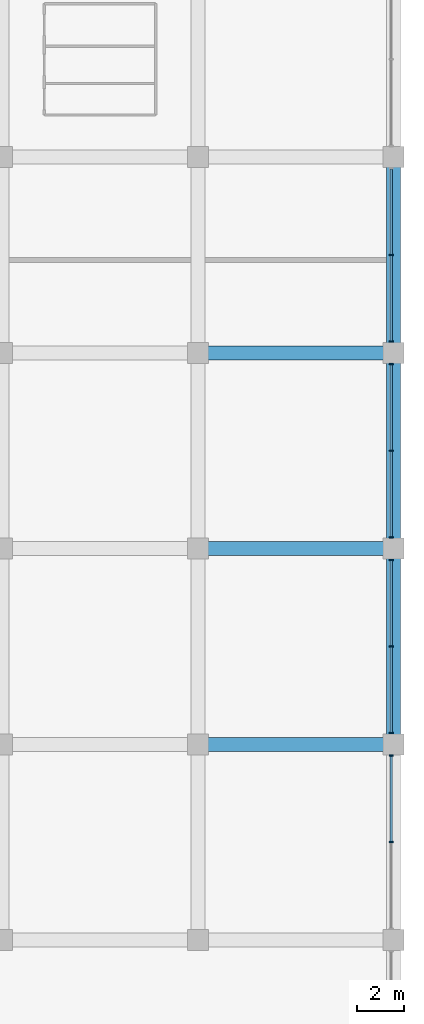
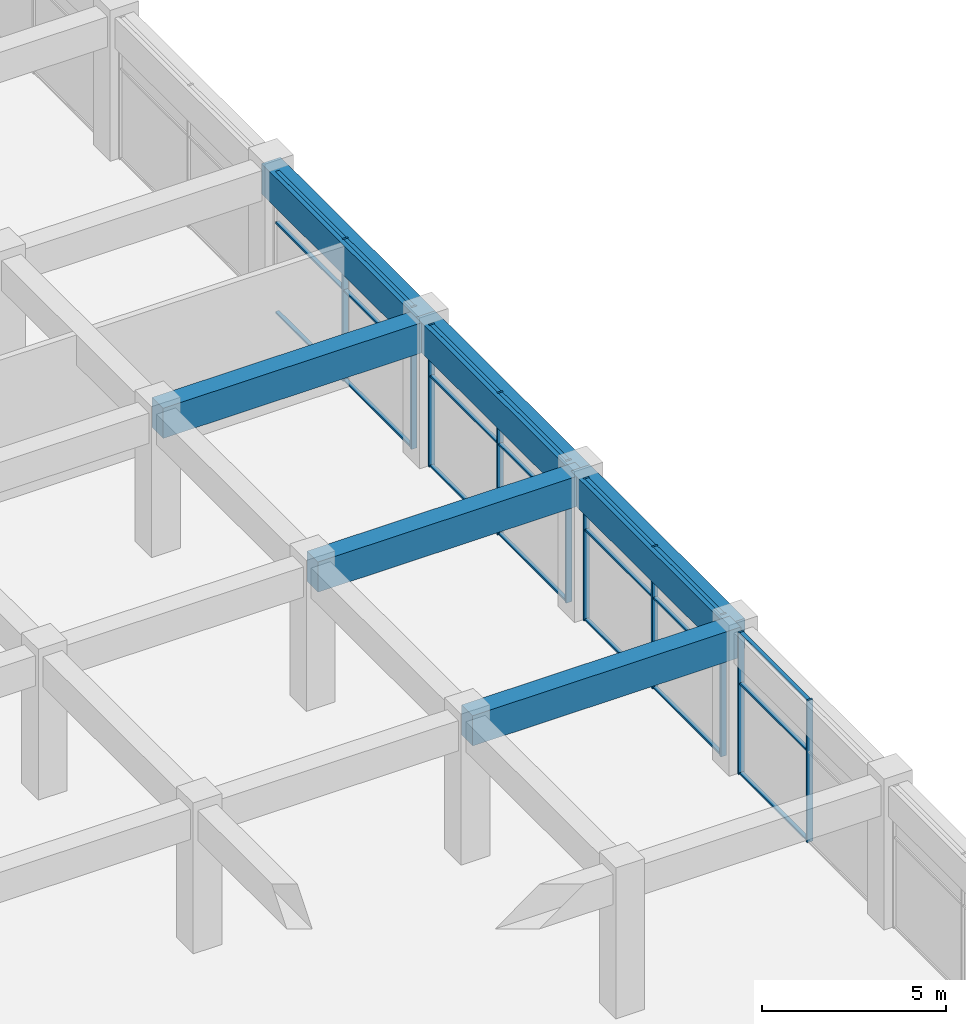
# One storey, part 15 of 34: 31 members, 6 beams, 4 elements without a shape of their own.
"""IFC4 building model written with IfcOpenShell, lengths in metres."""

from ifc_helpers import new_model, si_unit, direction, frame, origin, origin_2d, place, context, subcontext, project, spatial, rectangle, extrude, material, material_profile, profile_set, type_object, element, aggregate, save


model = new_model("IFC4")

# Units and contexts
model_context = context("Model", 3, precision=1e-05, world=origin(), true_north=direction((0.0, 1.0)))
body_context = subcontext(model_context, "Body", "Model", "MODEL_VIEW")
ifc_project = project(units=[si_unit("LENGTHUNIT", "METRE"), si_unit("AREAUNIT", "SQUARE_METRE"), si_unit("VOLUMEUNIT", "CUBIC_METRE"), si_unit("PLANEANGLEUNIT", "RADIAN"), si_unit("MASSUNIT", "GRAM", prefix="KILO")], contexts=[model_context])

# Site, building, storey
site_placement = place(None, origin())
site = spatial("IfcSite", under=ifc_project, at=site_placement, CompositionType="ELEMENT")
building_placement = place(site_placement, origin())
building = spatial("IfcBuilding", under=site, at=building_placement, Name="Impinga Residences", CompositionType="ELEMENT")
storey_placement = place(building_placement, frame((0.0, 0.0, 11.0)))
storey = spatial("IfcBuildingStorey", under=building, at=storey_placement, Name="L02", CompositionType="ELEMENT", Elevation=11.0)

# Curtain wall, members
ifc_material_1 = material(Name="Aluminium stick curtain wall", Category="aluminium")
curtain_wall_type = type_object("IfcCurtainWallType", Name="CW1 podium amenity curtain wall", PredefinedType="USERDEFINED", material=ifc_material_1)
curtain_wall_1_placement = place(storey_placement, origin())
curtain_wall_1 = element("IfcCurtainWall", 1, at=curtain_wall_1_placement, inside=storey, type_object=curtain_wall_type, Name="Curtain wall CW1 L02", ObjectType="STICK CURTAIN WALL", PredefinedType="USERDEFINED")
ifc_material_2 = material(Name="Aluminium mullion", Category="aluminium")
ifc_material_profile_1 = material_profile(ifc_material_2, rectangle(XDim=0.06005859375, YDim=0.179931640625, at=origin_2d()), Name="60x180 mullion")
ifc_profile_set_1 = profile_set([ifc_material_profile_1], Name="Aluminium mullion")
member_type_1 = type_object("IfcMemberType", Name="CW1-M mullion 60x180", PredefinedType="MULLION", material=ifc_profile_set_1)
member_1_placement = place(storey_placement, frame((50.300048828125, 29.39990234375, 0.0), z_axis=(0.0, 0.0, 1.0), x_axis=(0.0, -1.0, 0.0)))
member_1 = element("IfcMember", 2, at=member_1_placement, type_object=member_type_1, Name="CW1 mullion 2", PredefinedType="MULLION", context=body_context, shape_type="SweptSolid", body=[
    extrude(rectangle(XDim=0.06005859375, YDim=0.179931640625, at=origin_2d()), origin(), (0.0, 0.0, 1.0), 4.699951171875),
])
member_2_placement = place(storey_placement, frame((50.300048828125, 25.68310546875, 0.0), z_axis=(0.0, 0.0, 1.0), x_axis=(0.0, -1.0, 0.0)))
member_2 = element("IfcMember", 3, at=member_2_placement, type_object=member_type_1, Name="CW1 mullion 3", PredefinedType="MULLION", context=body_context, shape_type="SweptSolid", body=[
    extrude(rectangle(XDim=0.06005859375, YDim=0.179931640625, at=origin_2d()), origin(), (0.0, 0.0, 1.0), 4.699951171875),
])

curtain_wall_2_placement = place(storey_placement, origin())
curtain_wall_2 = element("IfcCurtainWall", 4, at=curtain_wall_2_placement, inside=storey, type_object=curtain_wall_type, Name="Curtain wall CW1 L02", ObjectType="STICK CURTAIN WALL", PredefinedType="USERDEFINED")
member_3_placement = place(storey_placement, frame((50.300048828125, 24.717041015625, 0.0), z_axis=(0.0, 0.0, 1.0), x_axis=(0.0, -1.0, 0.0)))
member_3 = element("IfcMember", 5, at=member_3_placement, type_object=member_type_1, Name="CW1 mullion 1", PredefinedType="MULLION", context=body_context, shape_type="SweptSolid", body=[
    extrude(rectangle(XDim=0.06005859375, YDim=0.179931640625, at=origin_2d()), origin(), (0.0, 0.0, 1.0), 4.699951171875),
])
member_4_placement = place(storey_placement, frame((50.300048828125, 21.0, 0.0), z_axis=(0.0, 0.0, 1.0), x_axis=(0.0, -1.0, 0.0)))
member_4 = element("IfcMember", 6, at=member_4_placement, type_object=member_type_1, Name="CW1 mullion 2", PredefinedType="MULLION", context=body_context, shape_type="SweptSolid", body=[
    extrude(rectangle(XDim=0.06005859375, YDim=0.179931640625, at=origin_2d()), origin(), (0.0, 0.0, 1.0), 4.699951171875),
])
member_5_placement = place(storey_placement, frame((50.300048828125, 17.282958984375, 0.0), z_axis=(0.0, 0.0, 1.0), x_axis=(0.0, -1.0, 0.0)))
member_5 = element("IfcMember", 7, at=member_5_placement, type_object=member_type_1, Name="CW1 mullion 3", PredefinedType="MULLION", context=body_context, shape_type="SweptSolid", body=[
    extrude(rectangle(XDim=0.06005859375, YDim=0.179931640625, at=origin_2d()), origin(), (0.0, 0.0, 1.0), 4.699951171875),
])

curtain_wall_3_placement = place(storey_placement, origin())
curtain_wall_3 = element("IfcCurtainWall", 8, at=curtain_wall_3_placement, inside=storey, type_object=curtain_wall_type, Name="Curtain wall CW1 L02", ObjectType="STICK CURTAIN WALL", PredefinedType="USERDEFINED")
member_6_placement = place(storey_placement, frame((50.300048828125, 16.31689453125, 0.0), z_axis=(0.0, 0.0, 1.0), x_axis=(0.0, -1.0, 0.0)))
member_6 = element("IfcMember", 9, at=member_6_placement, type_object=member_type_1, Name="CW1 mullion 1", PredefinedType="MULLION", context=body_context, shape_type="SweptSolid", body=[
    extrude(rectangle(XDim=0.06005859375, YDim=0.179931640625, at=origin_2d()), origin(), (0.0, 0.0, 1.0), 4.699951171875),
])
member_7_placement = place(storey_placement, frame((50.300048828125, 12.60009765625, 0.0), z_axis=(0.0, 0.0, 1.0), x_axis=(0.0, -1.0, 0.0)))
member_7 = element("IfcMember", 10, at=member_7_placement, type_object=member_type_1, Name="CW1 mullion 2", PredefinedType="MULLION", context=body_context, shape_type="SweptSolid", body=[
    extrude(rectangle(XDim=0.06005859375, YDim=0.179931640625, at=origin_2d()), origin(), (0.0, 0.0, 1.0), 4.699951171875),
])
member_8_placement = place(storey_placement, frame((50.300048828125, 8.883056640625, 0.0), z_axis=(0.0, 0.0, 1.0), x_axis=(0.0, -1.0, 0.0)))
member_8 = element("IfcMember", 11, at=member_8_placement, type_object=member_type_1, Name="CW1 mullion 3", PredefinedType="MULLION", context=body_context, shape_type="SweptSolid", body=[
    extrude(rectangle(XDim=0.06005859375, YDim=0.179931640625, at=origin_2d()), origin(), (0.0, 0.0, 1.0), 4.699951171875),
])

curtain_wall_4_placement = place(storey_placement, origin())
curtain_wall_4 = element("IfcCurtainWall", 12, at=curtain_wall_4_placement, inside=storey, type_object=curtain_wall_type, Name="Curtain wall CW1 L02", ObjectType="STICK CURTAIN WALL", PredefinedType="USERDEFINED")
member_9_placement = place(storey_placement, frame((50.300048828125, 7.9169921875, 0.0), z_axis=(0.0, 0.0, 1.0), x_axis=(0.0, -1.0, 0.0)))
member_9 = element("IfcMember", 13, at=member_9_placement, type_object=member_type_1, Name="CW1 mullion 1", PredefinedType="MULLION", context=body_context, shape_type="SweptSolid", body=[
    extrude(rectangle(XDim=0.06005859375, YDim=0.179931640625, at=origin_2d()), origin(), (0.0, 0.0, 1.0), 4.699951171875),
])
member_10_placement = place(storey_placement, frame((50.300048828125, 4.199951171875, 0.0), z_axis=(0.0, 0.0, 1.0), x_axis=(0.0, -1.0, 0.0)))
member_10 = element("IfcMember", 14, at=member_10_placement, type_object=member_type_1, Name="CW1 mullion 2", PredefinedType="MULLION", context=body_context, shape_type="SweptSolid", body=[
    extrude(rectangle(XDim=0.06005859375, YDim=0.179931640625, at=origin_2d()), origin(), (0.0, 0.0, 1.0), 4.699951171875),
])

# Member
ifc_material_3 = material(Name="Aluminium transom", Category="aluminium")
ifc_material_profile_2 = material_profile(ifc_material_3, rectangle(XDim=0.06005859375, YDim=0.1201171875, at=origin_2d()), Name="60x120 transom")
ifc_profile_set_2 = profile_set([ifc_material_profile_2], Name="Aluminium transom")
member_type_2 = type_object("IfcMemberType", Name="CW1-T transom 60x120", PredefinedType="USERDEFINED", material=ifc_profile_set_2)
member_11_placement = place(storey_placement, frame((50.300048828125, 33.0869140625, 0.030029296875), z_axis=(0.0, -1.0, 0.0), x_axis=(0.0, 0.0, 1.0)))
member_11 = element("IfcMember", 15, at=member_11_placement, type_object=member_type_2, Name="CW1 transom 1.1", ObjectType="TRANSOM", PredefinedType="USERDEFINED", context=body_context, shape_type="SweptSolid", body=[
    extrude(rectangle(XDim=0.06005859375, YDim=0.1201171875, at=origin_2d()), origin(), (0.0, 0.0, 1.0), 3.656982421875),
])

member_12_placement = place(storey_placement, frame((50.300048828125, 33.0869140625, 3.0), z_axis=(0.0, -1.0, 0.0), x_axis=(0.0, 0.0, 1.0)))
member_12 = element("IfcMember", 16, at=member_12_placement, type_object=member_type_2, Name="CW1 transom 1.2", ObjectType="TRANSOM", PredefinedType="USERDEFINED", context=body_context, shape_type="SweptSolid", body=[
    extrude(rectangle(XDim=0.06005859375, YDim=0.1201171875, at=origin_2d()), origin(), (0.0, 0.0, 1.0), 3.656982421875),
])

member_13_placement = place(storey_placement, frame((50.300048828125, 33.0869140625, 4.669921875), z_axis=(0.0, -1.0, 0.0), x_axis=(0.0, 0.0, 1.0)))
member_13 = element("IfcMember", 17, at=member_13_placement, type_object=member_type_2, Name="CW1 transom 1.3", ObjectType="TRANSOM", PredefinedType="USERDEFINED", context=body_context, shape_type="SweptSolid", body=[
    extrude(rectangle(XDim=0.06005859375, YDim=0.1201171875, at=origin_2d()), origin(), (0.0, 0.0, 1.0), 3.656982421875),
])

member_14_placement = place(storey_placement, frame((50.300048828125, 29.3701171875, 0.030029296875), z_axis=(0.0, -1.0, 0.0), x_axis=(0.0, 0.0, 1.0)))
member_14 = element("IfcMember", 18, at=member_14_placement, type_object=member_type_2, Name="CW1 transom 2.1", ObjectType="TRANSOM", PredefinedType="USERDEFINED", context=body_context, shape_type="SweptSolid", body=[
    extrude(rectangle(XDim=0.06005859375, YDim=0.1201171875, at=origin_2d()), origin(), (0.0, 0.0, 1.0), 3.6572265625),
])

member_15_placement = place(storey_placement, frame((50.300048828125, 29.3701171875, 3.0), z_axis=(0.0, -1.0, 0.0), x_axis=(0.0, 0.0, 1.0)))
member_15 = element("IfcMember", 19, at=member_15_placement, type_object=member_type_2, Name="CW1 transom 2.2", ObjectType="TRANSOM", PredefinedType="USERDEFINED", context=body_context, shape_type="SweptSolid", body=[
    extrude(rectangle(XDim=0.06005859375, YDim=0.1201171875, at=origin_2d()), origin(), (0.0, 0.0, 1.0), 3.6572265625),
])

member_16_placement = place(storey_placement, frame((50.300048828125, 29.3701171875, 4.669921875), z_axis=(0.0, -1.0, 0.0), x_axis=(0.0, 0.0, 1.0)))
member_16 = element("IfcMember", 20, at=member_16_placement, type_object=member_type_2, Name="CW1 transom 2.3", ObjectType="TRANSOM", PredefinedType="USERDEFINED", context=body_context, shape_type="SweptSolid", body=[
    extrude(rectangle(XDim=0.06005859375, YDim=0.1201171875, at=origin_2d()), origin(), (0.0, 0.0, 1.0), 3.6572265625),
])

aggregate(curtain_wall_1, [member_1, member_2, member_11, member_12, member_13, member_14, member_15, member_16])

member_17_placement = place(storey_placement, frame((50.300048828125, 24.68701171875, 0.030029296875), z_axis=(0.0, -1.0, 0.0), x_axis=(0.0, 0.0, 1.0)))
member_17 = element("IfcMember", 21, at=member_17_placement, type_object=member_type_2, Name="CW1 transom 1.1", ObjectType="TRANSOM", PredefinedType="USERDEFINED", context=body_context, shape_type="SweptSolid", body=[
    extrude(rectangle(XDim=0.06005859375, YDim=0.1201171875, at=origin_2d()), origin(), (0.0, 0.0, 1.0), 3.656982421875),
])

member_18_placement = place(storey_placement, frame((50.300048828125, 24.68701171875, 3.0), z_axis=(0.0, -1.0, 0.0), x_axis=(0.0, 0.0, 1.0)))
member_18 = element("IfcMember", 22, at=member_18_placement, type_object=member_type_2, Name="CW1 transom 1.2", ObjectType="TRANSOM", PredefinedType="USERDEFINED", context=body_context, shape_type="SweptSolid", body=[
    extrude(rectangle(XDim=0.06005859375, YDim=0.1201171875, at=origin_2d()), origin(), (0.0, 0.0, 1.0), 3.656982421875),
])

member_19_placement = place(storey_placement, frame((50.300048828125, 24.68701171875, 4.669921875), z_axis=(0.0, -1.0, 0.0), x_axis=(0.0, 0.0, 1.0)))
member_19 = element("IfcMember", 23, at=member_19_placement, type_object=member_type_2, Name="CW1 transom 1.3", ObjectType="TRANSOM", PredefinedType="USERDEFINED", context=body_context, shape_type="SweptSolid", body=[
    extrude(rectangle(XDim=0.06005859375, YDim=0.1201171875, at=origin_2d()), origin(), (0.0, 0.0, 1.0), 3.656982421875),
])

member_20_placement = place(storey_placement, frame((50.300048828125, 20.969970703125, 0.030029296875), z_axis=(0.0, -1.0, 0.0), x_axis=(0.0, 0.0, 1.0)))
member_20 = element("IfcMember", 24, at=member_20_placement, type_object=member_type_2, Name="CW1 transom 2.1", ObjectType="TRANSOM", PredefinedType="USERDEFINED", context=body_context, shape_type="SweptSolid", body=[
    extrude(rectangle(XDim=0.06005859375, YDim=0.1201171875, at=origin_2d()), origin(), (0.0, 0.0, 1.0), 3.656982421875),
])

member_21_placement = place(storey_placement, frame((50.300048828125, 20.969970703125, 3.0), z_axis=(0.0, -1.0, 0.0), x_axis=(0.0, 0.0, 1.0)))
member_21 = element("IfcMember", 25, at=member_21_placement, type_object=member_type_2, Name="CW1 transom 2.2", ObjectType="TRANSOM", PredefinedType="USERDEFINED", context=body_context, shape_type="SweptSolid", body=[
    extrude(rectangle(XDim=0.06005859375, YDim=0.1201171875, at=origin_2d()), origin(), (0.0, 0.0, 1.0), 3.656982421875),
])

member_22_placement = place(storey_placement, frame((50.300048828125, 20.969970703125, 4.669921875), z_axis=(0.0, -1.0, 0.0), x_axis=(0.0, 0.0, 1.0)))
member_22 = element("IfcMember", 26, at=member_22_placement, type_object=member_type_2, Name="CW1 transom 2.3", ObjectType="TRANSOM", PredefinedType="USERDEFINED", context=body_context, shape_type="SweptSolid", body=[
    extrude(rectangle(XDim=0.06005859375, YDim=0.1201171875, at=origin_2d()), origin(), (0.0, 0.0, 1.0), 3.656982421875),
])

aggregate(curtain_wall_2, [member_3, member_4, member_5, member_17, member_18, member_19, member_20, member_21, member_22])

member_23_placement = place(storey_placement, frame((50.300048828125, 16.287109375, 0.030029296875), z_axis=(0.0, -1.0, 0.0), x_axis=(0.0, 0.0, 1.0)))
member_23 = element("IfcMember", 27, at=member_23_placement, type_object=member_type_2, Name="CW1 transom 1.1", ObjectType="TRANSOM", PredefinedType="USERDEFINED", context=body_context, shape_type="SweptSolid", body=[
    extrude(rectangle(XDim=0.06005859375, YDim=0.1201171875, at=origin_2d()), origin(), (0.0, 0.0, 1.0), 3.6572265625),
])

member_24_placement = place(storey_placement, frame((50.300048828125, 16.287109375, 3.0), z_axis=(0.0, -1.0, 0.0), x_axis=(0.0, 0.0, 1.0)))
member_24 = element("IfcMember", 28, at=member_24_placement, type_object=member_type_2, Name="CW1 transom 1.2", ObjectType="TRANSOM", PredefinedType="USERDEFINED", context=body_context, shape_type="SweptSolid", body=[
    extrude(rectangle(XDim=0.06005859375, YDim=0.1201171875, at=origin_2d()), origin(), (0.0, 0.0, 1.0), 3.6572265625),
])

member_25_placement = place(storey_placement, frame((50.300048828125, 16.287109375, 4.669921875), z_axis=(0.0, -1.0, 0.0), x_axis=(0.0, 0.0, 1.0)))
member_25 = element("IfcMember", 29, at=member_25_placement, type_object=member_type_2, Name="CW1 transom 1.3", ObjectType="TRANSOM", PredefinedType="USERDEFINED", context=body_context, shape_type="SweptSolid", body=[
    extrude(rectangle(XDim=0.06005859375, YDim=0.1201171875, at=origin_2d()), origin(), (0.0, 0.0, 1.0), 3.6572265625),
])

member_26_placement = place(storey_placement, frame((50.300048828125, 12.570068359375, 0.030029296875), z_axis=(0.0, -1.0, 0.0), x_axis=(0.0, 0.0, 1.0)))
member_26 = element("IfcMember", 30, at=member_26_placement, type_object=member_type_2, Name="CW1 transom 2.1", ObjectType="TRANSOM", PredefinedType="USERDEFINED", context=body_context, shape_type="SweptSolid", body=[
    extrude(rectangle(XDim=0.06005859375, YDim=0.1201171875, at=origin_2d()), origin(), (0.0, 0.0, 1.0), 3.656982421875),
])

member_27_placement = place(storey_placement, frame((50.300048828125, 12.570068359375, 3.0), z_axis=(0.0, -1.0, 0.0), x_axis=(0.0, 0.0, 1.0)))
member_27 = element("IfcMember", 31, at=member_27_placement, type_object=member_type_2, Name="CW1 transom 2.2", ObjectType="TRANSOM", PredefinedType="USERDEFINED", context=body_context, shape_type="SweptSolid", body=[
    extrude(rectangle(XDim=0.06005859375, YDim=0.1201171875, at=origin_2d()), origin(), (0.0, 0.0, 1.0), 3.656982421875),
])

member_28_placement = place(storey_placement, frame((50.300048828125, 12.570068359375, 4.669921875), z_axis=(0.0, -1.0, 0.0), x_axis=(0.0, 0.0, 1.0)))
member_28 = element("IfcMember", 32, at=member_28_placement, type_object=member_type_2, Name="CW1 transom 2.3", ObjectType="TRANSOM", PredefinedType="USERDEFINED", context=body_context, shape_type="SweptSolid", body=[
    extrude(rectangle(XDim=0.06005859375, YDim=0.1201171875, at=origin_2d()), origin(), (0.0, 0.0, 1.0), 3.656982421875),
])

aggregate(curtain_wall_3, [member_6, member_7, member_8, member_23, member_24, member_25, member_26, member_27, member_28])

member_29_placement = place(storey_placement, frame((50.300048828125, 7.886962890625, 0.030029296875), z_axis=(0.0, -1.0, 0.0), x_axis=(0.0, 0.0, 1.0)))
member_29 = element("IfcMember", 33, at=member_29_placement, type_object=member_type_2, Name="CW1 transom 1.1", ObjectType="TRANSOM", PredefinedType="USERDEFINED", context=body_context, shape_type="SweptSolid", body=[
    extrude(rectangle(XDim=0.06005859375, YDim=0.1201171875, at=origin_2d()), origin(), (0.0, 0.0, 1.0), 3.656982421875),
])

member_30_placement = place(storey_placement, frame((50.300048828125, 7.886962890625, 3.0), z_axis=(0.0, -1.0, 0.0), x_axis=(0.0, 0.0, 1.0)))
member_30 = element("IfcMember", 34, at=member_30_placement, type_object=member_type_2, Name="CW1 transom 1.2", ObjectType="TRANSOM", PredefinedType="USERDEFINED", context=body_context, shape_type="SweptSolid", body=[
    extrude(rectangle(XDim=0.06005859375, YDim=0.1201171875, at=origin_2d()), origin(), (0.0, 0.0, 1.0), 3.656982421875),
])

member_31_placement = place(storey_placement, frame((50.300048828125, 7.886962890625, 4.669921875), z_axis=(0.0, -1.0, 0.0), x_axis=(0.0, 0.0, 1.0)))
member_31 = element("IfcMember", 35, at=member_31_placement, type_object=member_type_2, Name="CW1 transom 1.3", ObjectType="TRANSOM", PredefinedType="USERDEFINED", context=body_context, shape_type="SweptSolid", body=[
    extrude(rectangle(XDim=0.06005859375, YDim=0.1201171875, at=origin_2d()), origin(), (0.0, 0.0, 1.0), 3.656982421875),
])

aggregate(curtain_wall_4, [member_9, member_10, member_29, member_30, member_31])

# Beams
ifc_material_4 = material(Name="Concrete C60/75", Category="concrete")
ifc_material_profile_3 = material_profile(ifc_material_4, rectangle(XDim=0.60009765625, YDim=1.0, at=origin_2d()), Name="RC 600x1000")
ifc_profile_set_3 = profile_set([ifc_material_profile_3], Name="Concrete C60/75")
beam_type = type_object("IfcBeamType", Name="PB2 600x1000 podium beam", PredefinedType="BEAM", material=ifc_profile_set_3)
for number, where, z_axis, x_axis, name in (
    (36, (42.0, 8.39990234375, 4.199951171875), (1.0, 0.0, 0.0), (0.0, 1.0, 0.0), "Beam PB2 G/12-13 level L03"),
    (37, (42.0, 16.800048828125, 4.199951171875), (1.0, 0.0, 0.0), (0.0, 1.0, 0.0), "Beam PB2 H/12-13 level L03"),
    (38, (42.0, 25.199951171875, 4.199951171875), (1.0, 0.0, 0.0), (0.0, 1.0, 0.0), "Beam PB2 J/12-13 level L03"),
):
    element("IfcBeam", number, at=place(storey_placement, frame(where, z_axis=z_axis, x_axis=x_axis)), inside=storey, type_object=beam_type, Name=name, PredefinedType="BEAM", context=body_context, shape_type="SweptSolid", body=[
        extrude(rectangle(XDim=0.60009765625, YDim=1.0, at=origin_2d()), origin(), (0.0, 0.0, 1.0), 8.39990234375),
    ])
beam_1_placement = place(storey_placement, frame((50.39990234375, 8.39990234375, 4.199951171875), z_axis=(0.0, 1.0, 0.0), x_axis=(-1.0, 0.0, 0.0)))
element("IfcBeam", 39, at=beam_1_placement, inside=storey, type_object=beam_type, Name="Beam PB2 13/G-H level L03", PredefinedType="BEAM", context=body_context, shape_type="SweptSolid", body=[
    extrude(rectangle(XDim=0.60009765625, YDim=1.0, at=origin_2d()), origin(), (0.0, 0.0, 1.0), 8.400146484375),
])
beam_2_placement = place(storey_placement, frame((50.39990234375, 16.800048828125, 4.199951171875), z_axis=(0.0, 1.0, 0.0), x_axis=(-1.0, 0.0, 0.0)))
element("IfcBeam", 40, at=beam_2_placement, inside=storey, type_object=beam_type, Name="Beam PB2 13/H-J level L03", PredefinedType="BEAM", context=body_context, shape_type="SweptSolid", body=[
    extrude(rectangle(XDim=0.60009765625, YDim=1.0, at=origin_2d()), origin(), (0.0, 0.0, 1.0), 8.39990234375),
])
beam_3_placement = place(storey_placement, frame((50.39990234375, 25.199951171875, 4.199951171875), z_axis=(0.0, 1.0, 0.0), x_axis=(-1.0, 0.0, 0.0)))
element("IfcBeam", 41, at=beam_3_placement, inside=storey, type_object=beam_type, Name="Beam PB2 13/J-K level L03", PredefinedType="BEAM", context=body_context, shape_type="SweptSolid", body=[
    extrude(rectangle(XDim=0.60009765625, YDim=1.0, at=origin_2d()), origin(), (0.0, 0.0, 1.0), 8.400146484375),
])

save(model, "model.ifc")
